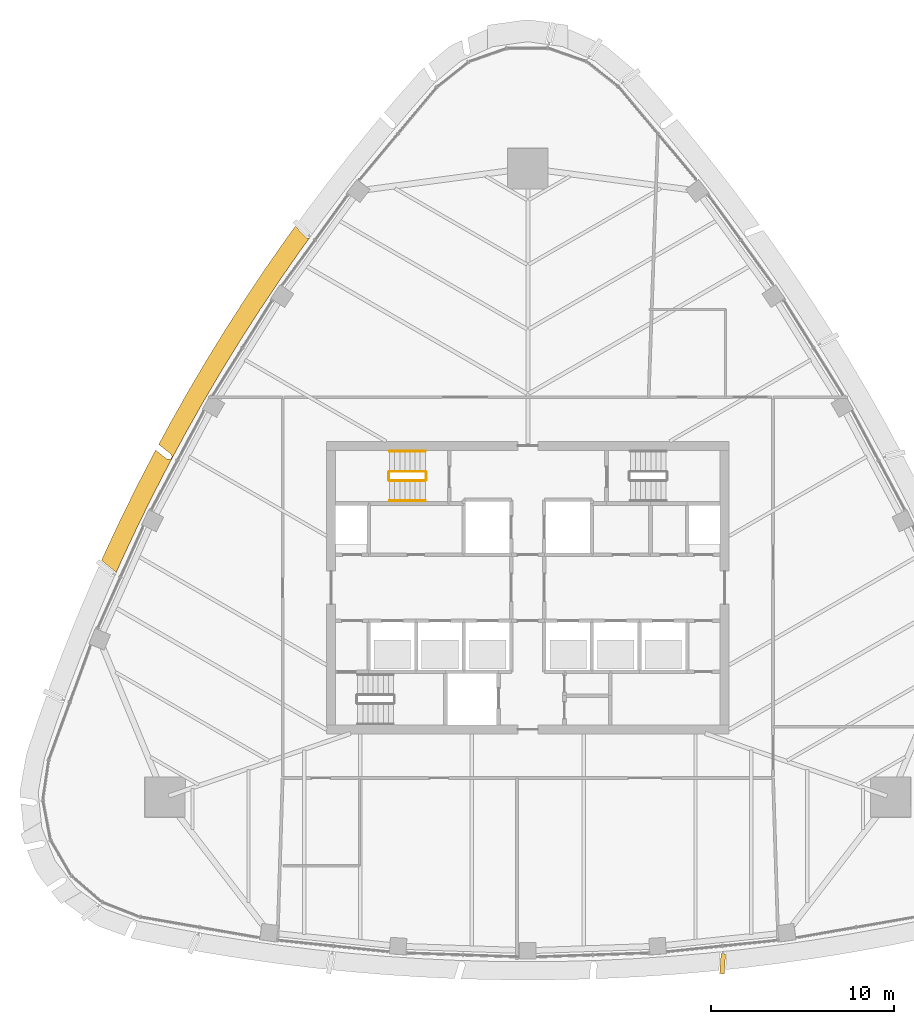
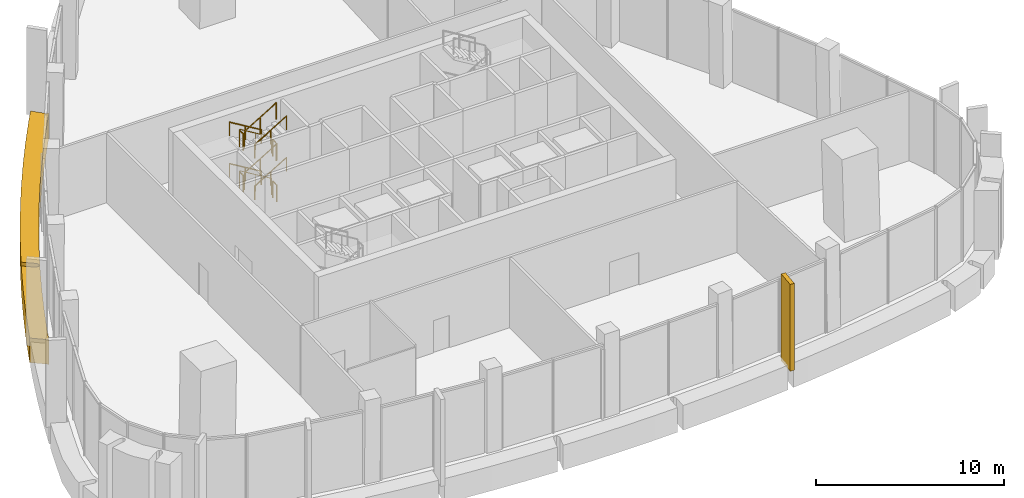
# One storey, part 16 of 19: 12 railings, 2 coverings.
"""IFC4 building model written with IfcOpenShell, lengths in metres."""

from ifc_helpers import new_model, si_unit, direction, frame, origin, origin_2d, place, context, subcontext, project, spatial, polyline, rectangle, circle, outline, extrude, material, layer, layer_set, material_profile, profile_set, type_object, element, save


model = new_model("IFC4")

# Units and contexts
model_context = context("Model", 3, precision=1e-05, world=origin(), true_north=direction((0.0, 1.0)))
body_context = subcontext(model_context, "Body", "Model", "MODEL_VIEW")
ifc_project = project(units=[si_unit("LENGTHUNIT", "METRE"), si_unit("AREAUNIT", "SQUARE_METRE"), si_unit("VOLUMEUNIT", "CUBIC_METRE"), si_unit("PLANEANGLEUNIT", "RADIAN"), si_unit("MASSUNIT", "GRAM", prefix="KILO")], contexts=[model_context])

# Site, building, storey
site_placement = place(None, origin())
site = spatial("IfcSite", under=ifc_project, at=site_placement, CompositionType="ELEMENT")
building_placement = place(site_placement, origin())
building = spatial("IfcBuilding", under=site, at=building_placement, Name="Sierra Prisma Convention Tower", CompositionType="ELEMENT")
storey_placement = place(building_placement, frame((0.0, 0.0, 319.0)))
storey = spatial("IfcBuildingStorey", under=building, at=storey_placement, Name="L73", CompositionType="ELEMENT", Elevation=319.0)

# Coverings
ifc_material_1 = material(Name="Aluminium 6063-T6 bronze anodised", Category="aluminium")
ifc_material_profile = material_profile(ifc_material_1, rectangle(XDim=1.10009765625, YDim=0.25, at=origin_2d()), Name="ALU FIN 1100x250")
ifc_profile_set = profile_set([ifc_material_profile], Name="Aluminium 6063-T6 bronze anodised")
covering_type_1 = type_object("IfcCoveringType", Name="Bronze facade fin", PredefinedType="CLADDING", material=ifc_profile_set)
covering_1_placement = place(storey_placement, frame((10.643310546875, -20.548095703125, -0.300048828125), z_axis=(0.0, 0.0, 1.0), x_axis=(-0.070800966615, -0.997490462674, 0.0)))
element("IfcCovering", 1, at=covering_1_placement, inside=storey, type_object=covering_type_1, Name="Fin L73.14", ObjectType="FIN", PredefinedType="CLADDING", context=body_context, shape_type="SweptSolid", body=[
    extrude(rectangle(XDim=1.10009765625, YDim=0.25, at=origin_2d()), origin(), (0.0, 0.0, 1.0), 5.650146484375),
])
ifc_material_2 = material(Name="Aluminium composite bronze anodised", Category="aluminium")
ifc_layer = layer(ifc_material_2, 1.0)
ifc_layer_set = layer_set([ifc_layer], Name="Bronze spandrel band")
covering_type_2 = type_object("IfcCoveringType", Name="Bronze spandrel band", PredefinedType="CLADDING", material=ifc_layer_set)
covering_2_placement = place(storey_placement, frame((0.0, 0.0, -1.60009765625)))
element("IfcCovering", 2, at=covering_2_placement, inside=storey, type_object=covering_type_2, Name="Spandrel band L73.1", PredefinedType="CLADDING", context=body_context, shape_type="SweptSolid", body=[
    extrude(outline(polyline([(-19.722900390625, 7.0302734375), (-19.718505859375, 7.028564453125), (-19.714111328125, 7.02734375), (-19.70947265625, 7.026611328125), (-19.704833984375, 7.0263671875), (-19.54541015625, 7.0234375), (-19.540283203125, 7.0234375), (-19.535400390625, 7.024169921875), (-19.530517578125, 7.025390625), (-19.52587890625, 7.02685546875), (-19.521484375, 7.029052734375), (-19.51708984375, 7.031494140625), (-19.512939453125, 7.034423828125), (-19.50927734375, 7.03759765625), (-19.506103515625, 7.041259765625), (-19.5029296875, 7.04541015625), (-19.50048828125, 7.049560546875), (-19.452880859375, 7.1376953125), (-19.45068359375, 7.14208984375), (-19.448974609375, 7.147216796875), (-19.44775390625, 7.152099609375), (-19.447021484375, 7.1572265625), (-19.447021484375, 7.162353515625), (-19.447265625, 7.16748046875), (-19.447998046875, 7.172607421875), (-19.44970703125, 7.177490234375), (-19.451416015625, 7.182373046875), (-19.503173828125, 7.29345703125), (-19.50537109375, 7.297607421875), (-19.5078125, 7.301513671875), (-19.5107421875, 7.30517578125), (-19.513916015625, 7.30859375), (-19.517578125, 7.3115234375), (-20.169189453125, 7.82763671875), (-19.53662109375, 8.998291015625), (-19.527587890625, 9.0146484375), (-18.56982421875, 10.71044921875), (-18.560302734375, 10.726806640625), (-17.57080078125, 12.404052734375), (-17.56103515625, 12.420166015625), (-16.5400390625, 14.07861328125), (-16.530029296875, 14.094482421875), (-15.477783203125, 15.7333984375), (-15.467529296875, 15.7490234375), (-14.384765625, 17.36767578125), (-14.3740234375, 17.38330078125), (-13.260986328125, 18.981201171875), (-13.25, 18.99658203125), (-12.70458984375, 19.7490234375), (-12.1044921875, 19.129150390625), (-12.101318359375, 19.1259765625), (-12.09765625, 19.123046875), (-12.09375, 19.12060546875), (-12.089599609375, 19.118408203125), (-12.085205078125, 19.11669921875), (-12.080810546875, 19.115478515625), (-12.076171875, 19.114501953125), (-11.944091796875, 19.094482421875), (-12.4404296875, 18.40966796875), (-13.5537109375, 16.811767578125), (-14.636474609375, 15.193115234375), (-15.6884765625, 13.55419921875), (-16.70947265625, 11.89599609375), (-17.69921875, 10.218505859375), (-18.656982421875, 8.52294921875), (-19.58251953125, 6.8095703125), (-20.4755859375, 5.0791015625), (-21.336181640625, 3.331787109375), (-22.16357421875, 1.56884765625), (-22.5048828125, 0.803955078125), (-22.537841796875, 0.868408203125), (-22.54052734375, 0.872802734375), (-22.543701171875, 0.877197265625), (-22.547119140625, 0.881103515625), (-22.55078125, 0.884521484375), (-23.294677734375, 1.488037109375), (-23.07666015625, 1.9765625), (-23.06884765625, 1.99365234375), (-22.241455078125, 3.756591796875), (-22.2333984375, 3.773681640625), (-21.372802734375, 5.520751953125), (-21.364501953125, 5.53759765625), (-20.47119140625, 7.268310546875), (-20.46240234375, 7.284912109375), (-20.337890625, 7.514892578125), (-19.73486328125, 7.037109375), (-19.731201171875, 7.034423828125), (-19.72705078125, 7.031982421875), (-19.722900390625, 7.0302734375)])), origin(), (0.0, 0.0, 1.0), 1.60009765625),
])

# Railings
ifc_material_3 = material(Name="Stainless steel", Category="steel")
railing_type_1 = type_object("IfcRailingType", Name="Exit stair handrail", PredefinedType="HANDRAIL", material=ifc_material_3)
railing_1_placement = place(storey_placement, frame((-5.60009765625, 7.449951171875, 0.168701171875)))
element("IfcRailing", 3, at=railing_1_placement, inside=storey, type_object=railing_type_1, Name="L73 S3 stair handrail 1", PredefinedType="HANDRAIL", context=body_context, shape_type="SweptSolid", body=[
    extrude(circle(Radius=0.02392578125, at=origin_2d()), frame((0.0, 0.0, 0.8759765625), z_axis=(-0.856446297458, 0.0, 0.516236127728), x_axis=(0.0, -1.0, 0.0)), (0.0, 0.0, 1.0), 2.28857421875),
    extrude(circle(Radius=0.02099609375, at=origin_2d()), origin(), (0.0, 0.0, 1.0), 0.851806640625),
    extrude(circle(Radius=0.02099609375, at=origin_2d()), frame((-0.97998046875, 0.0, 0.5908203125)), (0.0, 0.0, 1.0), 0.851806640625),
    extrude(circle(Radius=0.02099609375, at=origin_2d()), frame((-1.9599609375, 0.0, 1.181396484375)), (0.0, 0.0, 1.0), 0.851806640625),
])
railing_2_placement = place(storey_placement, frame((-7.56005859375, 4.75, 1.518798828125)))
element("IfcRailing", 4, at=railing_2_placement, inside=storey, type_object=railing_type_1, Name="L73 S3 stair handrail 2", PredefinedType="HANDRAIL", context=body_context, shape_type="SweptSolid", body=[
    extrude(circle(Radius=0.02392578125, at=origin_2d()), frame((0.0, 0.0, 0.8759765625), z_axis=(0.856493463811, 0.0, 0.516157869696), x_axis=(0.0, 1.0, 0.0)), (0.0, 0.0, 1.0), 2.288330078125),
    extrude(circle(Radius=0.02099609375, at=origin_2d()), origin(), (0.0, 0.0, 1.0), 0.851806640625),
    extrude(circle(Radius=0.02099609375, at=origin_2d()), frame((0.97998046875, 0.0, 0.590576171875)), (0.0, 0.0, 1.0), 0.851806640625),
    extrude(circle(Radius=0.02099609375, at=origin_2d()), frame((1.9599609375, 0.0, 1.18115234375)), (0.0, 0.0, 1.0), 0.851806640625),
])
railing_3_placement = place(storey_placement, frame((-5.60009765625, 7.449951171875, 2.86865234375)))
element("IfcRailing", 5, at=railing_3_placement, inside=storey, type_object=railing_type_1, Name="L73 S3 stair handrail 3", PredefinedType="HANDRAIL", context=body_context, shape_type="SweptSolid", body=[
    extrude(circle(Radius=0.02392578125, at=origin_2d()), frame((0.0, 0.0, 0.8759765625), z_axis=(-0.856446297458, 0.0, 0.516236127728), x_axis=(0.0, -1.0, 0.0)), (0.0, 0.0, 1.0), 2.28857421875),
    extrude(circle(Radius=0.02099609375, at=origin_2d()), origin(), (0.0, 0.0, 1.0), 0.851806640625),
    extrude(circle(Radius=0.02099609375, at=origin_2d()), frame((-0.97998046875, 0.0, 0.5908203125)), (0.0, 0.0, 1.0), 0.851806640625),
    extrude(circle(Radius=0.02099609375, at=origin_2d()), frame((-1.9599609375, 0.0, 1.181396484375)), (0.0, 0.0, 1.0), 0.851806640625),
])
railing_4_placement = place(storey_placement, frame((-7.56005859375, 4.75, 4.21875)))
element("IfcRailing", 6, at=railing_4_placement, inside=storey, type_object=railing_type_1, Name="L73 S3 stair handrail 4", PredefinedType="HANDRAIL", context=body_context, shape_type="SweptSolid", body=[
    extrude(circle(Radius=0.02392578125, at=origin_2d()), frame((0.0, 0.0, 0.8759765625), z_axis=(0.856493463811, 0.0, 0.516157869696), x_axis=(0.0, 1.0, 0.0)), (0.0, 0.0, 1.0), 2.288330078125),
    extrude(circle(Radius=0.02099609375, at=origin_2d()), origin(), (0.0, 0.0, 1.0), 0.851806640625),
    extrude(circle(Radius=0.02099609375, at=origin_2d()), frame((0.97998046875, 0.0, 0.590576171875)), (0.0, 0.0, 1.0), 0.851806640625),
    extrude(circle(Radius=0.02099609375, at=origin_2d()), frame((1.9599609375, 0.0, 1.18115234375)), (0.0, 0.0, 1.0), 0.851806640625),
])
ifc_material_4 = material(Name="Stainless steel", Category="steel")
railing_type_2 = type_object("IfcRailingType", Name="Stair guard 1100", PredefinedType="GUARDRAIL", material=ifc_material_4)
railing_5_placement = place(storey_placement, frame((-5.60009765625, 6.35009765625, 0.168701171875)))
element("IfcRailing", 7, at=railing_5_placement, inside=storey, type_object=railing_type_2, Name="L73 S3 stair guard 1", PredefinedType="GUARDRAIL", context=body_context, shape_type="SweptSolid", body=[
    extrude(circle(Radius=0.02392578125, at=origin_2d()), frame((0.0, 0.0, 1.076171875), z_axis=(-0.856446297458, 0.0, 0.516236127728), x_axis=(0.0, -1.0, 0.0)), (0.0, 0.0, 1.0), 2.28857421875),
    extrude(circle(Radius=0.02099609375, at=origin_2d()), origin(), (0.0, 0.0, 1.0), 1.052001953125),
    extrude(circle(Radius=0.02099609375, at=origin_2d()), frame((-0.97998046875, 0.0, 0.5908203125)), (0.0, 0.0, 1.0), 1.052001953125),
    extrude(circle(Radius=0.02099609375, at=origin_2d()), frame((-1.9599609375, 0.0, 1.181396484375)), (0.0, 0.0, 1.0), 1.052001953125),
])
railing_6_placement = place(storey_placement, frame((-7.610107421875, 6.300048828125, 1.35009765625)))
element("IfcRailing", 8, at=railing_6_placement, inside=storey, type_object=railing_type_2, Name="L73 S3 stair guard 2", PredefinedType="GUARDRAIL", context=body_context, shape_type="SweptSolid", body=[
    extrude(circle(Radius=0.02392578125, at=origin_2d()), frame((0.0, 0.0, 1.076171875), z_axis=(0.0, -1.0, 0.0), x_axis=(1.0, 0.0, 0.0)), (0.0, 0.0, 1.0), 0.400146484375),
    extrude(circle(Radius=0.02099609375, at=origin_2d()), origin(), (0.0, 0.0, 1.0), 1.052001953125),
    extrude(circle(Radius=0.02099609375, at=origin_2d()), frame((0.0, -0.400146484375, 0.0)), (0.0, 0.0, 1.0), 1.052001953125),
])
railing_7_placement = place(storey_placement, frame((-7.56005859375, 5.85009765625, 1.518798828125)))
element("IfcRailing", 9, at=railing_7_placement, inside=storey, type_object=railing_type_2, Name="L73 S3 stair guard 3", PredefinedType="GUARDRAIL", context=body_context, shape_type="SweptSolid", body=[
    extrude(circle(Radius=0.02392578125, at=origin_2d()), frame((0.0, 0.0, 1.076171875), z_axis=(0.856493463811, 0.0, 0.516157869696), x_axis=(0.0, 1.0, 0.0)), (0.0, 0.0, 1.0), 2.288330078125),
    extrude(circle(Radius=0.02099609375, at=origin_2d()), origin(), (0.0, 0.0, 1.0), 1.052001953125),
    extrude(circle(Radius=0.02099609375, at=origin_2d()), frame((0.97998046875, 0.0, 0.590576171875)), (0.0, 0.0, 1.0), 1.052001953125),
    extrude(circle(Radius=0.02099609375, at=origin_2d()), frame((1.9599609375, 0.0, 1.18115234375)), (0.0, 0.0, 1.0), 1.052001953125),
])
railing_8_placement = place(storey_placement, frame((-5.550048828125, 6.300048828125, 2.699951171875)))
element("IfcRailing", 10, at=railing_8_placement, inside=storey, type_object=railing_type_2, Name="L73 S3 stair guard 4", PredefinedType="GUARDRAIL", context=body_context, shape_type="SweptSolid", body=[
    extrude(circle(Radius=0.02392578125, at=origin_2d()), frame((0.0, 0.0, 1.076171875), z_axis=(0.0, -1.0, 0.0), x_axis=(1.0, 0.0, 0.0)), (0.0, 0.0, 1.0), 0.400146484375),
    extrude(circle(Radius=0.02099609375, at=origin_2d()), origin(), (0.0, 0.0, 1.0), 1.052001953125),
    extrude(circle(Radius=0.02099609375, at=origin_2d()), frame((0.0, -0.400146484375, 0.0)), (0.0, 0.0, 1.0), 1.052001953125),
])
railing_9_placement = place(storey_placement, frame((-5.60009765625, 6.35009765625, 2.86865234375)))
element("IfcRailing", 11, at=railing_9_placement, inside=storey, type_object=railing_type_2, Name="L73 S3 stair guard 5", PredefinedType="GUARDRAIL", context=body_context, shape_type="SweptSolid", body=[
    extrude(circle(Radius=0.02392578125, at=origin_2d()), frame((0.0, 0.0, 1.076171875), z_axis=(-0.856446297458, 0.0, 0.516236127728), x_axis=(0.0, -1.0, 0.0)), (0.0, 0.0, 1.0), 2.28857421875),
    extrude(circle(Radius=0.02099609375, at=origin_2d()), origin(), (0.0, 0.0, 1.0), 1.052001953125),
    extrude(circle(Radius=0.02099609375, at=origin_2d()), frame((-0.97998046875, 0.0, 0.5908203125)), (0.0, 0.0, 1.0), 1.052001953125),
    extrude(circle(Radius=0.02099609375, at=origin_2d()), frame((-1.9599609375, 0.0, 1.181396484375)), (0.0, 0.0, 1.0), 1.052001953125),
])
railing_10_placement = place(storey_placement, frame((-7.610107421875, 6.300048828125, 4.050048828125)))
element("IfcRailing", 12, at=railing_10_placement, inside=storey, type_object=railing_type_2, Name="L73 S3 stair guard 6", PredefinedType="GUARDRAIL", context=body_context, shape_type="SweptSolid", body=[
    extrude(circle(Radius=0.02392578125, at=origin_2d()), frame((0.0, 0.0, 1.076171875), z_axis=(0.0, -1.0, 0.0), x_axis=(1.0, 0.0, 0.0)), (0.0, 0.0, 1.0), 0.400146484375),
    extrude(circle(Radius=0.02099609375, at=origin_2d()), origin(), (0.0, 0.0, 1.0), 1.052001953125),
    extrude(circle(Radius=0.02099609375, at=origin_2d()), frame((0.0, -0.400146484375, 0.0)), (0.0, 0.0, 1.0), 1.052001953125),
])
railing_11_placement = place(storey_placement, frame((-7.56005859375, 5.85009765625, 4.21875)))
element("IfcRailing", 13, at=railing_11_placement, inside=storey, type_object=railing_type_2, Name="L73 S3 stair guard 7", PredefinedType="GUARDRAIL", context=body_context, shape_type="SweptSolid", body=[
    extrude(circle(Radius=0.02392578125, at=origin_2d()), frame((0.0, 0.0, 1.076171875), z_axis=(0.856493463811, 0.0, 0.516157869696), x_axis=(0.0, 1.0, 0.0)), (0.0, 0.0, 1.0), 2.288330078125),
    extrude(circle(Radius=0.02099609375, at=origin_2d()), origin(), (0.0, 0.0, 1.0), 1.052001953125),
    extrude(circle(Radius=0.02099609375, at=origin_2d()), frame((0.97998046875, 0.0, 0.590576171875)), (0.0, 0.0, 1.0), 1.052001953125),
    extrude(circle(Radius=0.02099609375, at=origin_2d()), frame((1.9599609375, 0.0, 1.18115234375)), (0.0, 0.0, 1.0), 1.052001953125),
])
railing_12_placement = place(storey_placement, frame((-5.550048828125, 6.300048828125, 0.0)))
element("IfcRailing", 14, at=railing_12_placement, inside=storey, type_object=railing_type_2, Name="L73 S3 stair guard 8", PredefinedType="GUARDRAIL", context=body_context, shape_type="SweptSolid", body=[
    extrude(circle(Radius=0.02392578125, at=origin_2d()), frame((0.0, 0.0, 1.076171875), z_axis=(0.0, -1.0, 0.0), x_axis=(1.0, 0.0, 0.0)), (0.0, 0.0, 1.0), 0.400146484375),
    extrude(circle(Radius=0.02099609375, at=origin_2d()), origin(), (0.0, 0.0, 1.0), 1.052001953125),
    extrude(circle(Radius=0.02099609375, at=origin_2d()), frame((0.0, -0.400146484375, 0.0)), (0.0, 0.0, 1.0), 1.052001953125),
])

save(model, "model.ifc")
